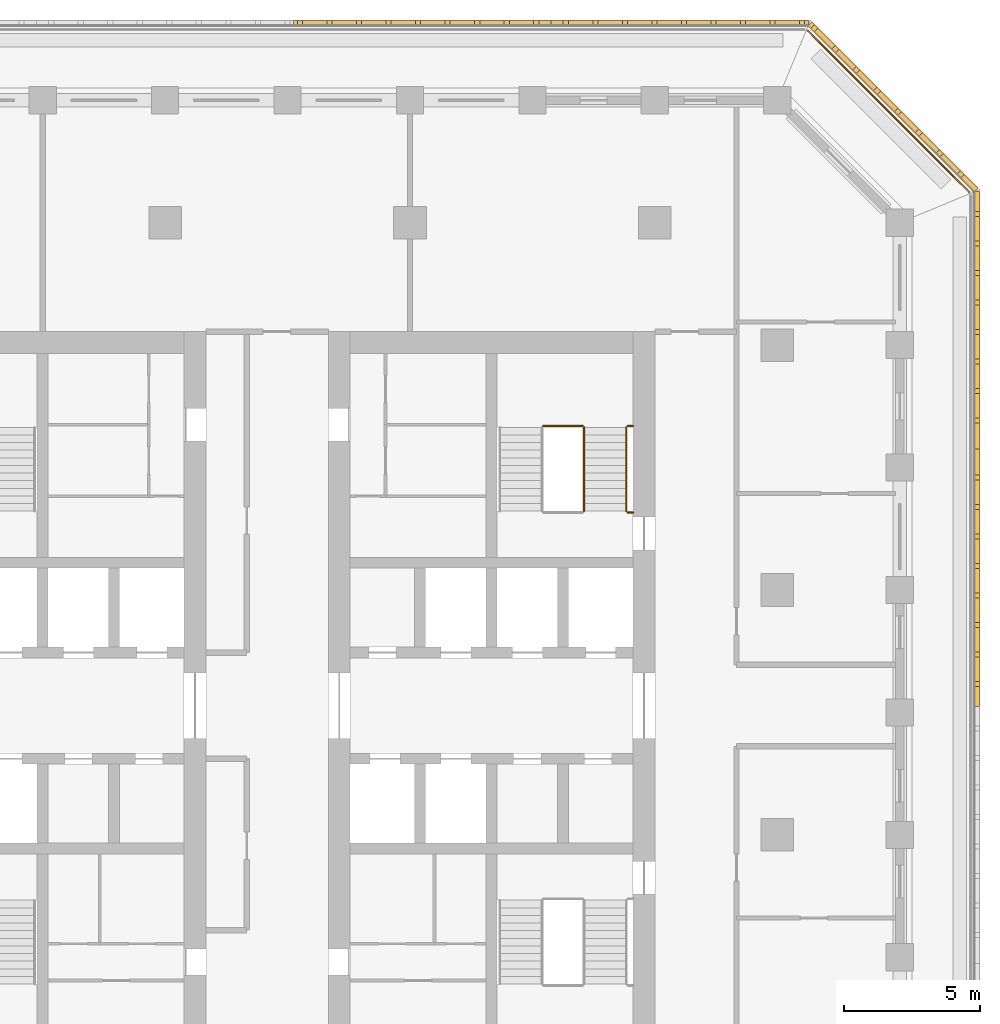
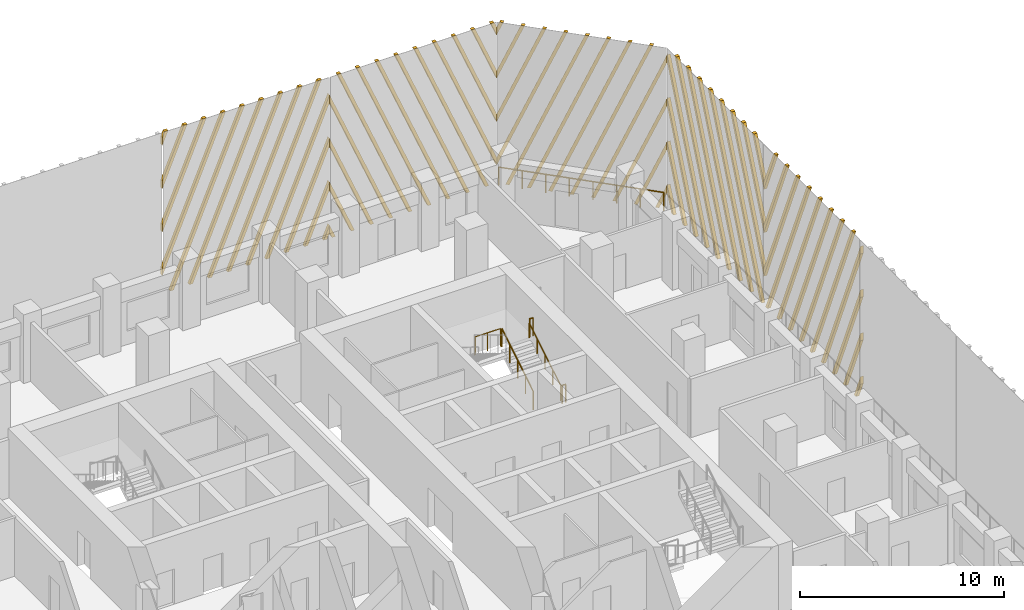
# One storey, part 17 of 18: 6 railings, 5 shading devices.
"""IFC4 building model written with IfcOpenShell, lengths in metres."""

from ifc_helpers import new_model, si_unit, direction, frame, origin, origin_2d, place, context, subcontext, project, spatial, polyline, circle, outline, extrude, source, transform, mapped, material, type_object, element, save


model = new_model("IFC4")

# Units and contexts
model_context = context("Model", 3, precision=1e-05, world=origin(), true_north=direction((0.0, 1.0)))
body_context = subcontext(model_context, "Body", "Model", "MODEL_VIEW")
ifc_project = project(units=[si_unit("LENGTHUNIT", "METRE"), si_unit("AREAUNIT", "SQUARE_METRE"), si_unit("VOLUMEUNIT", "CUBIC_METRE"), si_unit("PLANEANGLEUNIT", "RADIAN"), si_unit("MASSUNIT", "GRAM", prefix="KILO")], contexts=[model_context])

# Site, building, storey
site_placement = place(None, origin())
site = spatial("IfcSite", under=ifc_project, at=site_placement, CompositionType="ELEMENT")
building_placement = place(site_placement, origin())
building = spatial("IfcBuilding", under=site, at=building_placement, Name="Corbel Stack Research Tower", CompositionType="ELEMENT")
storey_placement = place(building_placement, frame((0.0, 0.0, 181.39990234375)))
storey = spatial("IfcBuildingStorey", under=building, at=storey_placement, Name="L41", CompositionType="ELEMENT", Elevation=181.39990234375)

# Railings
ifc_material_1 = material(Name="Steel S355", Category="steel")
railing_type_1 = type_object("IfcRailingType", Name="Stair guard 1100", PredefinedType="GUARDRAIL", material=ifc_material_1)
railing_1_placement = place(storey_placement, frame((15.39990234375, 11.89990234375, 0.1708984375)))
element("IfcRailing", 1, at=railing_1_placement, inside=storey, type_object=railing_type_1, Name="L41 ST-E2 stair guard 1", PredefinedType="GUARDRAIL", context=body_context, shape_type="SweptSolid", body=[
    extrude(circle(Radius=0.02392578125, at=origin_2d()), frame((0.0, 0.0, 1.076171875), z_axis=(0.0, 0.853666305674, 0.52082035152), x_axis=(-1.0, 0.0, 0.0)), (0.0, 0.0, 1.0), 3.608154296875),
    extrude(circle(Radius=0.02099609375, at=origin_2d()), origin(), (0.0, 0.0, 1.0), 1.052001953125),
    extrude(circle(Radius=0.02099609375, at=origin_2d()), frame((0.0, 0.77001953125, 0.4697265625)), (0.0, 0.0, 1.0), 1.052001953125),
    extrude(circle(Radius=0.02099609375, at=origin_2d()), frame((0.0, 1.5400390625, 0.939453125)), (0.0, 0.0, 1.0), 1.052001953125),
    extrude(circle(Radius=0.02099609375, at=origin_2d()), frame((0.0, 2.31005859375, 1.409423828125)), (0.0, 0.0, 1.0), 1.052001953125),
    extrude(circle(Radius=0.02099609375, at=origin_2d()), frame((0.0, 3.080078125, 1.879150390625)), (0.0, 0.0, 1.0), 1.052001953125),
])
railing_2_placement = place(storey_placement, frame((15.35009765625, 15.030029296875, 2.050048828125)))
element("IfcRailing", 2, at=railing_2_placement, inside=storey, type_object=railing_type_1, Name="L41 ST-E2 stair guard 2", PredefinedType="GUARDRAIL", context=body_context, shape_type="SweptSolid", body=[
    extrude(circle(Radius=0.02392578125, at=origin_2d()), frame((0.0, 0.0, 1.076171875), z_axis=(-1.0, 0.0, 0.0), x_axis=(0.0, -1.0, 0.0)), (0.0, 0.0, 1.0), 1.4501953125),
    extrude(circle(Radius=0.02099609375, at=origin_2d()), origin(), (0.0, 0.0, 1.0), 1.052001953125),
    extrude(circle(Radius=0.02099609375, at=origin_2d()), frame((-0.72509765625, 0.0, 0.0)), (0.0, 0.0, 1.0), 1.052001953125),
    extrude(circle(Radius=0.02099609375, at=origin_2d()), frame((-1.4501953125, 0.0, 0.0)), (0.0, 0.0, 1.0), 1.052001953125),
])
for number, where, name in (
    (3, (17.199951171875, 15.030029296875, 2.050048828125), "L41 ST-E2 stair guard 3"),
    (4, (17.199951171875, 11.85009765625, 0.0), "L41 ST-E2 stair guard 6"),
):
    element("IfcRailing", number, at=place(storey_placement, frame(where)), inside=storey, type_object=railing_type_1, Name=name, PredefinedType="GUARDRAIL", context=body_context, shape_type="SweptSolid", body=[
        extrude(circle(Radius=0.02392578125, at=origin_2d()), frame((0.0, 0.0, 1.076171875), z_axis=(-1.0, 0.0, 0.0), x_axis=(0.0, -1.0, 0.0)), (0.0, 0.0, 1.0), 0.199951171875),
        extrude(circle(Radius=0.02099609375, at=origin_2d()), origin(), (0.0, 0.0, 1.0), 1.052001953125),
        extrude(circle(Radius=0.02099609375, at=origin_2d()), frame((-0.199951171875, 0.0, 0.0)), (0.0, 0.0, 1.0), 1.052001953125),
    ])
ifc_material_2 = material(Name="Steel S355", Category="steel")
railing_type_2 = type_object("IfcRailingType", Name="Stair handrail 900", PredefinedType="HANDRAIL", material=ifc_material_2)
railing_3_placement = place(storey_placement, frame((16.949951171875, 11.89990234375, 0.1708984375)))
element("IfcRailing", 5, at=railing_3_placement, inside=storey, type_object=railing_type_2, Name="L41 ST-E2 stair handrail 1", PredefinedType="HANDRAIL", context=body_context, shape_type="SweptSolid", body=[
    extrude(circle(Radius=0.02392578125, at=origin_2d()), frame((0.0, 0.0, 0.8759765625), z_axis=(0.0, 0.853666305674, 0.52082035152), x_axis=(-1.0, 0.0, 0.0)), (0.0, 0.0, 1.0), 3.608154296875),
    extrude(circle(Radius=0.02099609375, at=origin_2d()), origin(), (0.0, 0.0, 1.0), 0.851806640625),
    extrude(circle(Radius=0.02099609375, at=origin_2d()), frame((0.0, 0.77001953125, 0.4697265625)), (0.0, 0.0, 1.0), 0.851806640625),
    extrude(circle(Radius=0.02099609375, at=origin_2d()), frame((0.0, 1.5400390625, 0.939453125)), (0.0, 0.0, 1.0), 0.851806640625),
    extrude(circle(Radius=0.02099609375, at=origin_2d()), frame((0.0, 2.31005859375, 1.409423828125)), (0.0, 0.0, 1.0), 0.851806640625),
    extrude(circle(Radius=0.02099609375, at=origin_2d()), frame((0.0, 3.080078125, 1.879150390625)), (0.0, 0.0, 1.0), 0.851806640625),
])
ifc_material_3 = material(Name="Powder-coated steel guard", Category="steel")
railing_type_3 = type_object("IfcRailingType", Name="Steel and glass guard 1100", PredefinedType="GUARDRAIL", material=ifc_material_3)
railing_4_placement = place(storey_placement, frame((29.54931640625, 23.627685546875, 0.0)))
element("IfcRailing", 6, at=railing_4_placement, inside=storey, type_object=railing_type_3, Name="Loggia guard L41 NE", PredefinedType="GUARDRAIL", context=body_context, shape_type="SweptSolid", body=[
    extrude(circle(Radius=0.02392578125, at=origin_2d()), frame((0.0, 0.0, 1.076171875), z_axis=(-0.707106781187, 0.707106781187, 0.0), x_axis=(-0.707106781187, -0.707106781187, 0.0)), (0.0, 0.0, 1.0), 8.37451171875),
    extrude(circle(Radius=0.02099609375, at=origin_2d()), origin(), (0.0, 0.0, 1.0), 1.052001953125),
    extrude(circle(Radius=0.02099609375, at=origin_2d()), frame((-0.845947265625, 0.845947265625, 0.0)), (0.0, 0.0, 1.0), 1.052001953125),
    extrude(circle(Radius=0.02099609375, at=origin_2d()), frame((-1.69189453125, 1.69189453125, 0.0)), (0.0, 0.0, 1.0), 1.052001953125),
    extrude(circle(Radius=0.02099609375, at=origin_2d()), frame((-2.537841796875, 2.537841796875, 0.0)), (0.0, 0.0, 1.0), 1.052001953125),
    extrude(circle(Radius=0.02099609375, at=origin_2d()), frame((-3.3837890625, 3.3837890625, 0.0)), (0.0, 0.0, 1.0), 1.052001953125),
    extrude(circle(Radius=0.02099609375, at=origin_2d()), frame((-4.229736328125, 4.229736328125, 0.0)), (0.0, 0.0, 1.0), 1.052001953125),
    extrude(circle(Radius=0.02099609375, at=origin_2d()), frame((-5.07568359375, 5.07568359375, 0.0)), (0.0, 0.0, 1.0), 1.052001953125),
    extrude(circle(Radius=0.02099609375, at=origin_2d()), frame((-5.921630859375, 5.921630859375, 0.0)), (0.0, 0.0, 1.0), 1.052001953125),
])

# Shading devices
ifc_material_4 = material(Name="Precast terracotta", Category="masonry")
shading_device_type = type_object("IfcShadingDeviceType", Name="Terracotta screen panel", PredefinedType="USERDEFINED", material=ifc_material_4)
shared_shape_1 = source(origin(), body_context, "Body", "SweptSolid", [
    extrude(outline(polyline([(1.142333984375, 9.64990234375), (0.952392578125, 9.64990234375), (0.0, 7.36962890625), (0.0, 6.914794921875), (1.142333984375, 9.64990234375)])), frame((0.0, 0.0, 0.0), z_axis=(0.0, -1.0, 0.0), x_axis=(1.0, 0.0, 0.0)), (0.0, 0.0, 1.0), 0.179931640625),
    extrude(outline(polyline([(2.22705078125, 9.64990234375), (2.037109375, 9.64990234375), (0.0, 4.7724609375), (0.0, 4.317626953125), (2.22705078125, 9.64990234375)])), frame((0.0, 0.0, 0.0), z_axis=(0.0, -1.0, 0.0), x_axis=(1.0, 0.0, 0.0)), (0.0, 0.0, 1.0), 0.179931640625),
    extrude(outline(polyline([(3.311767578125, 9.64990234375), (3.12158203125, 9.64990234375), (0.0, 2.17529296875), (0.0, 1.720458984375), (3.311767578125, 9.64990234375)])), frame((0.0, 0.0, 0.0), z_axis=(0.0, -1.0, 0.0), x_axis=(1.0, 0.0, 0.0)), (0.0, 0.0, 1.0), 0.179931640625),
    extrude(outline(polyline([(0.3662109375, 0.0), (4.396240234375, 9.64990234375), (4.206298828125, 9.64990234375), (0.17626953125, 0.0), (0.3662109375, 0.0)])), frame((0.0, 0.0, 0.0), z_axis=(0.0, -1.0, 0.0), x_axis=(1.0, 0.0, 0.0)), (0.0, 0.0, 1.0), 0.179931640625),
    extrude(outline(polyline([(1.45068359375, 0.0), (5.48095703125, 9.64990234375), (5.291015625, 9.64990234375), (1.2607421875, 0.0), (1.45068359375, 0.0)])), frame((0.0, 0.0, 0.0), z_axis=(0.0, -1.0, 0.0), x_axis=(1.0, 0.0, 0.0)), (0.0, 0.0, 1.0), 0.179931640625),
    extrude(outline(polyline([(2.535400390625, 0.0), (6.565673828125, 9.64990234375), (6.375732421875, 9.64990234375), (2.345458984375, 0.0), (2.535400390625, 0.0)])), frame((0.0, 0.0, 0.0), z_axis=(0.0, -1.0, 0.0), x_axis=(1.0, 0.0, 0.0)), (0.0, 0.0, 1.0), 0.179931640625),
    extrude(outline(polyline([(3.6201171875, 0.0), (7.650390625, 9.64990234375), (7.460205078125, 9.64990234375), (3.43017578125, 0.0), (3.6201171875, 0.0)])), frame((0.0, 0.0, 0.0), z_axis=(0.0, -1.0, 0.0), x_axis=(1.0, 0.0, 0.0)), (0.0, 0.0, 1.0), 0.179931640625),
    extrude(outline(polyline([(4.704833984375, 0.0), (8.735107421875, 9.64990234375), (8.544921875, 9.64990234375), (4.514892578125, 0.0), (4.704833984375, 0.0)])), frame((0.0, 0.0, 0.0), z_axis=(0.0, -1.0, 0.0), x_axis=(1.0, 0.0, 0.0)), (0.0, 0.0, 1.0), 0.179931640625),
    extrude(outline(polyline([(5.78955078125, 0.0), (9.45556640625, 8.7783203125), (9.45556640625, 9.2333984375), (5.599609375, 0.0), (5.78955078125, 0.0)])), frame((0.0, 0.0, 0.0), z_axis=(0.0, -1.0, 0.0), x_axis=(1.0, 0.0, 0.0)), (0.0, 0.0, 1.0), 0.179931640625),
    extrude(outline(polyline([(6.874267578125, 0.0), (9.45556640625, 6.18115234375), (9.45556640625, 6.63623046875), (6.68408203125, 0.0), (6.874267578125, 0.0)])), frame((0.0, 0.0, 0.0), z_axis=(0.0, -1.0, 0.0), x_axis=(1.0, 0.0, 0.0)), (0.0, 0.0, 1.0), 0.179931640625),
    extrude(outline(polyline([(7.958740234375, 0.0), (9.45556640625, 3.583984375), (9.45556640625, 4.0390625), (7.768798828125, 0.0), (7.958740234375, 0.0)])), frame((0.0, 0.0, 0.0), z_axis=(0.0, -1.0, 0.0), x_axis=(1.0, 0.0, 0.0)), (0.0, 0.0, 1.0), 0.179931640625),
    extrude(outline(polyline([(9.04345703125, 0.0), (9.45556640625, 0.98681640625), (9.45556640625, 1.44189453125), (8.853515625, 0.0), (9.04345703125, 0.0)])), frame((0.0, 0.0, 0.0), z_axis=(0.0, -1.0, 0.0), x_axis=(1.0, 0.0, 0.0)), (0.0, 0.0, 1.0), 0.179931640625),
])
shading_device_1_placement = place(storey_placement, frame((29.75, 14.18359375, 0.0), z_axis=(0.0, 0.0, 1.0), x_axis=(0.0, 1.0, 0.0)))
element("IfcShadingDevice", 7, at=shading_device_1_placement, inside=storey, type_object=shading_device_type, Name="Terracotta screen L41 E5", ObjectType="SCREEN", PredefinedType="USERDEFINED", context=body_context, shape_type="MappedRepresentation", body=[
    mapped(shared_shape_1, transform((0.0, 0.0, 0.0))),
])
shared_shape_2 = source(origin(), body_context, "Body", "SweptSolid", [
    extrude(outline(polyline([(0.60205078125, 0.0), (0.0, 1.44189453125), (0.0, 0.98681640625), (0.412109375, 0.0), (0.60205078125, 0.0)])), frame((0.0, 0.0, 0.0), z_axis=(0.0, -1.0, 0.0), x_axis=(1.0, 0.0, 0.0)), (0.0, 0.0, 1.0), 0.179931640625),
    extrude(outline(polyline([(1.686767578125, 0.0), (0.0, 4.0390625), (0.0, 3.583984375), (1.496826171875, 0.0), (1.686767578125, 0.0)])), frame((0.0, 0.0, 0.0), z_axis=(0.0, -1.0, 0.0), x_axis=(1.0, 0.0, 0.0)), (0.0, 0.0, 1.0), 0.179931640625),
    extrude(outline(polyline([(2.771484375, 0.0), (0.0, 6.63623046875), (0.0, 6.18115234375), (2.58154296875, 0.0), (2.771484375, 0.0)])), frame((0.0, 0.0, 0.0), z_axis=(0.0, -1.0, 0.0), x_axis=(1.0, 0.0, 0.0)), (0.0, 0.0, 1.0), 0.179931640625),
    extrude(outline(polyline([(3.856201171875, 0.0), (0.0, 9.2333984375), (0.0, 8.7783203125), (3.666015625, 0.0), (3.856201171875, 0.0)])), frame((0.0, 0.0, 0.0), z_axis=(0.0, -1.0, 0.0), x_axis=(1.0, 0.0, 0.0)), (0.0, 0.0, 1.0), 0.179931640625),
    extrude(outline(polyline([(4.94091796875, 0.0), (0.91064453125, 9.64990234375), (0.720703125, 9.64990234375), (4.750732421875, 0.0), (4.94091796875, 0.0)])), frame((0.0, 0.0, 0.0), z_axis=(0.0, -1.0, 0.0), x_axis=(1.0, 0.0, 0.0)), (0.0, 0.0, 1.0), 0.179931640625),
    extrude(outline(polyline([(6.025390625, 0.0), (1.995361328125, 9.64990234375), (1.805419921875, 9.64990234375), (5.83544921875, 0.0), (6.025390625, 0.0)])), frame((0.0, 0.0, 0.0), z_axis=(0.0, -1.0, 0.0), x_axis=(1.0, 0.0, 0.0)), (0.0, 0.0, 1.0), 0.179931640625),
    extrude(outline(polyline([(7.110107421875, 0.0), (3.080078125, 9.64990234375), (2.889892578125, 9.64990234375), (6.920166015625, 0.0), (7.110107421875, 0.0)])), frame((0.0, 0.0, 0.0), z_axis=(0.0, -1.0, 0.0), x_axis=(1.0, 0.0, 0.0)), (0.0, 0.0, 1.0), 0.179931640625),
    extrude(outline(polyline([(8.19482421875, 0.0), (4.16455078125, 9.64990234375), (3.974609375, 9.64990234375), (8.0048828125, 0.0), (8.19482421875, 0.0)])), frame((0.0, 0.0, 0.0), z_axis=(0.0, -1.0, 0.0), x_axis=(1.0, 0.0, 0.0)), (0.0, 0.0, 1.0), 0.179931640625),
    extrude(outline(polyline([(9.279541015625, 0.0), (5.249267578125, 9.64990234375), (5.059326171875, 9.64990234375), (9.089599609375, 0.0), (9.279541015625, 0.0)])), frame((0.0, 0.0, 0.0), z_axis=(0.0, -1.0, 0.0), x_axis=(1.0, 0.0, 0.0)), (0.0, 0.0, 1.0), 0.179931640625),
    extrude(outline(polyline([(6.333984375, 9.64990234375), (6.14404296875, 9.64990234375), (9.45556640625, 1.720458984375), (9.45556640625, 2.17529296875), (6.333984375, 9.64990234375)])), frame((0.0, 0.0, 0.0), z_axis=(0.0, -1.0, 0.0), x_axis=(1.0, 0.0, 0.0)), (0.0, 0.0, 1.0), 0.179931640625),
    extrude(outline(polyline([(7.418701171875, 9.64990234375), (7.228515625, 9.64990234375), (9.45556640625, 4.317626953125), (9.45556640625, 4.7724609375), (7.418701171875, 9.64990234375)])), frame((0.0, 0.0, 0.0), z_axis=(0.0, -1.0, 0.0), x_axis=(1.0, 0.0, 0.0)), (0.0, 0.0, 1.0), 0.179931640625),
    extrude(outline(polyline([(8.50341796875, 9.64990234375), (8.313232421875, 9.64990234375), (9.45556640625, 6.914794921875), (9.45556640625, 7.36962890625), (8.50341796875, 9.64990234375)])), frame((0.0, 0.0, 0.0), z_axis=(0.0, -1.0, 0.0), x_axis=(1.0, 0.0, 0.0)), (0.0, 0.0, 1.0), 0.179931640625),
])
shading_device_2_placement = place(storey_placement, frame((29.75, 4.727783203125, 0.0), z_axis=(0.0, 0.0, 1.0), x_axis=(0.0, 1.0, 0.0)))
element("IfcShadingDevice", 8, at=shading_device_2_placement, inside=storey, type_object=shading_device_type, Name="Terracotta screen L41 E4", ObjectType="SCREEN", PredefinedType="USERDEFINED", context=body_context, shape_type="MappedRepresentation", body=[
    mapped(shared_shape_2, transform((0.0, 0.0, 0.0))),
])
shared_shape_3 = source(origin(), body_context, "Body", "SweptSolid", [
    extrude(outline(polyline([(0.60205078125, 0.0), (0.0, 1.44189453125), (0.0, 0.98681640625), (0.412109375, 0.0), (0.60205078125, 0.0)])), frame((0.0, 0.0, 0.0), z_axis=(0.0, -1.0, 0.0), x_axis=(1.0, 0.0, 0.0)), (0.0, 0.0, 1.0), 0.179931640625),
    extrude(outline(polyline([(1.686767578125, 0.0), (0.0, 4.0390625), (0.0, 3.583984375), (1.496826171875, 0.0), (1.686767578125, 0.0)])), frame((0.0, 0.0, 0.0), z_axis=(0.0, -1.0, 0.0), x_axis=(1.0, 0.0, 0.0)), (0.0, 0.0, 1.0), 0.179931640625),
    extrude(outline(polyline([(2.771484375, 0.0), (0.0, 6.63623046875), (0.0, 6.18115234375), (2.58154296875, 0.0), (2.771484375, 0.0)])), frame((0.0, 0.0, 0.0), z_axis=(0.0, -1.0, 0.0), x_axis=(1.0, 0.0, 0.0)), (0.0, 0.0, 1.0), 0.179931640625),
    extrude(outline(polyline([(3.856201171875, 0.0), (0.0, 9.2333984375), (0.0, 8.7783203125), (3.666015625, 0.0), (3.856201171875, 0.0)])), frame((0.0, 0.0, 0.0), z_axis=(0.0, -1.0, 0.0), x_axis=(1.0, 0.0, 0.0)), (0.0, 0.0, 1.0), 0.179931640625),
    extrude(outline(polyline([(4.94091796875, 0.0), (0.91064453125, 9.64990234375), (0.720703125, 9.64990234375), (4.750732421875, 0.0), (4.94091796875, 0.0)])), frame((0.0, 0.0, 0.0), z_axis=(0.0, -1.0, 0.0), x_axis=(1.0, 0.0, 0.0)), (0.0, 0.0, 1.0), 0.179931640625),
    extrude(outline(polyline([(6.025390625, 0.0), (1.995361328125, 9.64990234375), (1.805419921875, 9.64990234375), (5.83544921875, 0.0), (6.025390625, 0.0)])), frame((0.0, 0.0, 0.0), z_axis=(0.0, -1.0, 0.0), x_axis=(1.0, 0.0, 0.0)), (0.0, 0.0, 1.0), 0.179931640625),
    extrude(outline(polyline([(7.110107421875, 0.0), (3.080078125, 9.64990234375), (2.889892578125, 9.64990234375), (6.920166015625, 0.0), (7.110107421875, 0.0)])), frame((0.0, 0.0, 0.0), z_axis=(0.0, -1.0, 0.0), x_axis=(1.0, 0.0, 0.0)), (0.0, 0.0, 1.0), 0.179931640625),
    extrude(outline(polyline([(8.19482421875, 0.0), (4.16455078125, 9.64990234375), (3.974609375, 9.64990234375), (8.0048828125, 0.0), (8.19482421875, 0.0)])), frame((0.0, 0.0, 0.0), z_axis=(0.0, -1.0, 0.0), x_axis=(1.0, 0.0, 0.0)), (0.0, 0.0, 1.0), 0.179931640625),
    extrude(outline(polyline([(5.249267578125, 9.64990234375), (5.059326171875, 9.64990234375), (8.64208984375, 1.071044921875), (8.64208984375, 1.526123046875), (5.249267578125, 9.64990234375)])), frame((0.0, 0.0, 0.0), z_axis=(0.0, -1.0, 0.0), x_axis=(1.0, 0.0, 0.0)), (0.0, 0.0, 1.0), 0.179931640625),
    extrude(outline(polyline([(6.333984375, 9.64990234375), (6.14404296875, 9.64990234375), (8.64208984375, 3.668212890625), (8.64208984375, 4.123291015625), (6.333984375, 9.64990234375)])), frame((0.0, 0.0, 0.0), z_axis=(0.0, -1.0, 0.0), x_axis=(1.0, 0.0, 0.0)), (0.0, 0.0, 1.0), 0.179931640625),
    extrude(outline(polyline([(7.418701171875, 9.64990234375), (7.228515625, 9.64990234375), (8.64208984375, 6.265380859375), (8.64208984375, 6.720458984375), (7.418701171875, 9.64990234375)])), frame((0.0, 0.0, 0.0), z_axis=(0.0, -1.0, 0.0), x_axis=(1.0, 0.0, 0.0)), (0.0, 0.0, 1.0), 0.179931640625),
    extrude(outline(polyline([(8.50341796875, 9.64990234375), (8.313232421875, 9.64990234375), (8.64208984375, 8.862548828125), (8.64208984375, 9.317626953125), (8.50341796875, 9.64990234375)])), frame((0.0, 0.0, 0.0), z_axis=(0.0, -1.0, 0.0), x_axis=(1.0, 0.0, 0.0)), (0.0, 0.0, 1.0), 0.179931640625),
])
shading_device_3_placement = place(storey_placement, frame((29.75, 23.63916015625, 0.0), z_axis=(0.0, 0.0, 1.0), x_axis=(-0.707106781187, 0.707106781187, 0.0)))
element("IfcShadingDevice", 9, at=shading_device_3_placement, inside=storey, type_object=shading_device_type, Name="Terracotta screen L41 NE1", ObjectType="SCREEN", PredefinedType="USERDEFINED", context=body_context, shape_type="MappedRepresentation", body=[
    mapped(shared_shape_3, transform((0.0, 0.0, 0.0))),
])
shared_shape_4 = source(origin(), body_context, "Body", "SweptSolid", [
    extrude(outline(polyline([(0.328857421875, 9.64990234375), (0.138916015625, 9.64990234375), (0.0, 9.317626953125), (0.0, 8.862548828125), (0.328857421875, 9.64990234375)])), frame((0.0, 0.0, 0.0), z_axis=(0.0, -1.0, 0.0), x_axis=(1.0, 0.0, 0.0)), (0.0, 0.0, 1.0), 0.179931640625),
    extrude(outline(polyline([(1.41357421875, 9.64990234375), (1.223388671875, 9.64990234375), (0.0, 6.720458984375), (0.0, 6.265380859375), (1.41357421875, 9.64990234375)])), frame((0.0, 0.0, 0.0), z_axis=(0.0, -1.0, 0.0), x_axis=(1.0, 0.0, 0.0)), (0.0, 0.0, 1.0), 0.179931640625),
    extrude(outline(polyline([(2.498291015625, 9.64990234375), (2.30810546875, 9.64990234375), (0.0, 4.123291015625), (0.0, 3.668212890625), (2.498291015625, 9.64990234375)])), frame((0.0, 0.0, 0.0), z_axis=(0.0, -1.0, 0.0), x_axis=(1.0, 0.0, 0.0)), (0.0, 0.0, 1.0), 0.179931640625),
    extrude(outline(polyline([(3.582763671875, 9.64990234375), (3.392822265625, 9.64990234375), (0.0, 1.526123046875), (0.0, 1.071044921875), (3.582763671875, 9.64990234375)])), frame((0.0, 0.0, 0.0), z_axis=(0.0, -1.0, 0.0), x_axis=(1.0, 0.0, 0.0)), (0.0, 0.0, 1.0), 0.179931640625),
    extrude(outline(polyline([(0.63720703125, 0.0), (4.66748046875, 9.64990234375), (4.4775390625, 9.64990234375), (0.447265625, 0.0), (0.63720703125, 0.0)])), frame((0.0, 0.0, 0.0), z_axis=(0.0, -1.0, 0.0), x_axis=(1.0, 0.0, 0.0)), (0.0, 0.0, 1.0), 0.179931640625),
    extrude(outline(polyline([(1.721923828125, 0.0), (5.752197265625, 9.64990234375), (5.562255859375, 9.64990234375), (1.531982421875, 0.0), (1.721923828125, 0.0)])), frame((0.0, 0.0, 0.0), z_axis=(0.0, -1.0, 0.0), x_axis=(1.0, 0.0, 0.0)), (0.0, 0.0, 1.0), 0.179931640625),
    extrude(outline(polyline([(2.806640625, 0.0), (6.8369140625, 9.64990234375), (6.646728515625, 9.64990234375), (2.61669921875, 0.0), (2.806640625, 0.0)])), frame((0.0, 0.0, 0.0), z_axis=(0.0, -1.0, 0.0), x_axis=(1.0, 0.0, 0.0)), (0.0, 0.0, 1.0), 0.179931640625),
    extrude(outline(polyline([(3.891357421875, 0.0), (7.92138671875, 9.64990234375), (7.7314453125, 9.64990234375), (3.701416015625, 0.0), (3.891357421875, 0.0)])), frame((0.0, 0.0, 0.0), z_axis=(0.0, -1.0, 0.0), x_axis=(1.0, 0.0, 0.0)), (0.0, 0.0, 1.0), 0.179931640625),
    extrude(outline(polyline([(4.97607421875, 0.0), (9.006103515625, 9.64990234375), (8.816162109375, 9.64990234375), (4.785888671875, 0.0), (4.97607421875, 0.0)])), frame((0.0, 0.0, 0.0), z_axis=(0.0, -1.0, 0.0), x_axis=(1.0, 0.0, 0.0)), (0.0, 0.0, 1.0), 0.179931640625),
    extrude(outline(polyline([(6.060791015625, 0.0), (9.45556640625, 8.129150390625), (9.45556640625, 8.583984375), (5.87060546875, 0.0), (6.060791015625, 0.0)])), frame((0.0, 0.0, 0.0), z_axis=(0.0, -1.0, 0.0), x_axis=(1.0, 0.0, 0.0)), (0.0, 0.0, 1.0), 0.179931640625),
    extrude(outline(polyline([(7.145263671875, 0.0), (9.45556640625, 5.531982421875), (9.45556640625, 5.98681640625), (6.955322265625, 0.0), (7.145263671875, 0.0)])), frame((0.0, 0.0, 0.0), z_axis=(0.0, -1.0, 0.0), x_axis=(1.0, 0.0, 0.0)), (0.0, 0.0, 1.0), 0.179931640625),
    extrude(outline(polyline([(8.22998046875, 0.0), (9.45556640625, 2.934814453125), (9.45556640625, 3.3896484375), (8.0400390625, 0.0), (8.22998046875, 0.0)])), frame((0.0, 0.0, 0.0), z_axis=(0.0, -1.0, 0.0), x_axis=(1.0, 0.0, 0.0)), (0.0, 0.0, 1.0), 0.179931640625),
    extrude(outline(polyline([(9.314697265625, 0.0), (9.45556640625, 0.337646484375), (9.45556640625, 0.79248046875), (9.124755859375, 0.0), (9.314697265625, 0.0)])), frame((0.0, 0.0, 0.0), z_axis=(0.0, -1.0, 0.0), x_axis=(1.0, 0.0, 0.0)), (0.0, 0.0, 1.0), 0.179931640625),
])
shading_device_4_placement = place(storey_placement, frame((23.63916015625, 29.75, 0.0), z_axis=(0.0, 0.0, 1.0), x_axis=(-1.0, 0.0, 0.0)))
element("IfcShadingDevice", 10, at=shading_device_4_placement, inside=storey, type_object=shading_device_type, Name="Terracotta screen L41 N1", ObjectType="SCREEN", PredefinedType="USERDEFINED", context=body_context, shape_type="MappedRepresentation", body=[
    mapped(shared_shape_4, transform((0.0, 0.0, 0.0))),
])
shared_shape_5 = source(origin(), body_context, "Body", "SweptSolid", [
    extrude(outline(polyline([(0.3310546875, 0.0), (0.0, 0.79248046875), (0.0, 0.337646484375), (0.14111328125, 0.0), (0.3310546875, 0.0)])), frame((0.0, 0.0, 0.0), z_axis=(0.0, -1.0, 0.0), x_axis=(1.0, 0.0, 0.0)), (0.0, 0.0, 1.0), 0.179931640625),
    extrude(outline(polyline([(1.41552734375, 0.0), (0.0, 3.3896484375), (0.0, 2.934814453125), (1.2255859375, 0.0), (1.41552734375, 0.0)])), frame((0.0, 0.0, 0.0), z_axis=(0.0, -1.0, 0.0), x_axis=(1.0, 0.0, 0.0)), (0.0, 0.0, 1.0), 0.179931640625),
    extrude(outline(polyline([(2.500244140625, 0.0), (0.0, 5.98681640625), (0.0, 5.531982421875), (2.310302734375, 0.0), (2.500244140625, 0.0)])), frame((0.0, 0.0, 0.0), z_axis=(0.0, -1.0, 0.0), x_axis=(1.0, 0.0, 0.0)), (0.0, 0.0, 1.0), 0.179931640625),
    extrude(outline(polyline([(3.5849609375, 0.0), (0.0, 8.583984375), (0.0, 8.129150390625), (3.39501953125, 0.0), (3.5849609375, 0.0)])), frame((0.0, 0.0, 0.0), z_axis=(0.0, -1.0, 0.0), x_axis=(1.0, 0.0, 0.0)), (0.0, 0.0, 1.0), 0.179931640625),
    extrude(outline(polyline([(4.669677734375, 0.0), (0.639404296875, 9.64990234375), (0.449462890625, 9.64990234375), (4.4794921875, 0.0), (4.669677734375, 0.0)])), frame((0.0, 0.0, 0.0), z_axis=(0.0, -1.0, 0.0), x_axis=(1.0, 0.0, 0.0)), (0.0, 0.0, 1.0), 0.179931640625),
    extrude(outline(polyline([(5.75439453125, 0.0), (1.72412109375, 9.64990234375), (1.5341796875, 9.64990234375), (5.564208984375, 0.0), (5.75439453125, 0.0)])), frame((0.0, 0.0, 0.0), z_axis=(0.0, -1.0, 0.0), x_axis=(1.0, 0.0, 0.0)), (0.0, 0.0, 1.0), 0.179931640625),
    extrude(outline(polyline([(6.839111328125, 0.0), (2.808837890625, 9.64990234375), (2.618896484375, 9.64990234375), (6.64892578125, 0.0), (6.839111328125, 0.0)])), frame((0.0, 0.0, 0.0), z_axis=(0.0, -1.0, 0.0), x_axis=(1.0, 0.0, 0.0)), (0.0, 0.0, 1.0), 0.179931640625),
    extrude(outline(polyline([(7.923583984375, 0.0), (3.8935546875, 9.64990234375), (3.70361328125, 9.64990234375), (7.733642578125, 0.0), (7.923583984375, 0.0)])), frame((0.0, 0.0, 0.0), z_axis=(0.0, -1.0, 0.0), x_axis=(1.0, 0.0, 0.0)), (0.0, 0.0, 1.0), 0.179931640625),
    extrude(outline(polyline([(9.00830078125, 0.0), (4.97802734375, 9.64990234375), (4.7880859375, 9.64990234375), (8.818359375, 0.0), (9.00830078125, 0.0)])), frame((0.0, 0.0, 0.0), z_axis=(0.0, -1.0, 0.0), x_axis=(1.0, 0.0, 0.0)), (0.0, 0.0, 1.0), 0.179931640625),
    extrude(outline(polyline([(6.062744140625, 9.64990234375), (5.872802734375, 9.64990234375), (9.45556640625, 1.071044921875), (9.45556640625, 1.526123046875), (6.062744140625, 9.64990234375)])), frame((0.0, 0.0, 0.0), z_axis=(0.0, -1.0, 0.0), x_axis=(1.0, 0.0, 0.0)), (0.0, 0.0, 1.0), 0.179931640625),
    extrude(outline(polyline([(7.1474609375, 9.64990234375), (6.95751953125, 9.64990234375), (9.45556640625, 3.668212890625), (9.45556640625, 4.123291015625), (7.1474609375, 9.64990234375)])), frame((0.0, 0.0, 0.0), z_axis=(0.0, -1.0, 0.0), x_axis=(1.0, 0.0, 0.0)), (0.0, 0.0, 1.0), 0.179931640625),
    extrude(outline(polyline([(8.232177734375, 9.64990234375), (8.0419921875, 9.64990234375), (9.45556640625, 6.265380859375), (9.45556640625, 6.720458984375), (8.232177734375, 9.64990234375)])), frame((0.0, 0.0, 0.0), z_axis=(0.0, -1.0, 0.0), x_axis=(1.0, 0.0, 0.0)), (0.0, 0.0, 1.0), 0.179931640625),
    extrude(outline(polyline([(9.31689453125, 9.64990234375), (9.126708984375, 9.64990234375), (9.45556640625, 8.862548828125), (9.45556640625, 9.317626953125), (9.31689453125, 9.64990234375)])), frame((0.0, 0.0, 0.0), z_axis=(0.0, -1.0, 0.0), x_axis=(1.0, 0.0, 0.0)), (0.0, 0.0, 1.0), 0.179931640625),
])
shading_device_5_placement = place(storey_placement, frame((14.18359375, 29.75, 0.0), z_axis=(0.0, 0.0, 1.0), x_axis=(-1.0, 0.0, 0.0)))
element("IfcShadingDevice", 11, at=shading_device_5_placement, inside=storey, type_object=shading_device_type, Name="Terracotta screen L41 N2", ObjectType="SCREEN", PredefinedType="USERDEFINED", context=body_context, shape_type="MappedRepresentation", body=[
    mapped(shared_shape_5, transform((0.0, 0.0, 0.0))),
])

save(model, "model.ifc")
